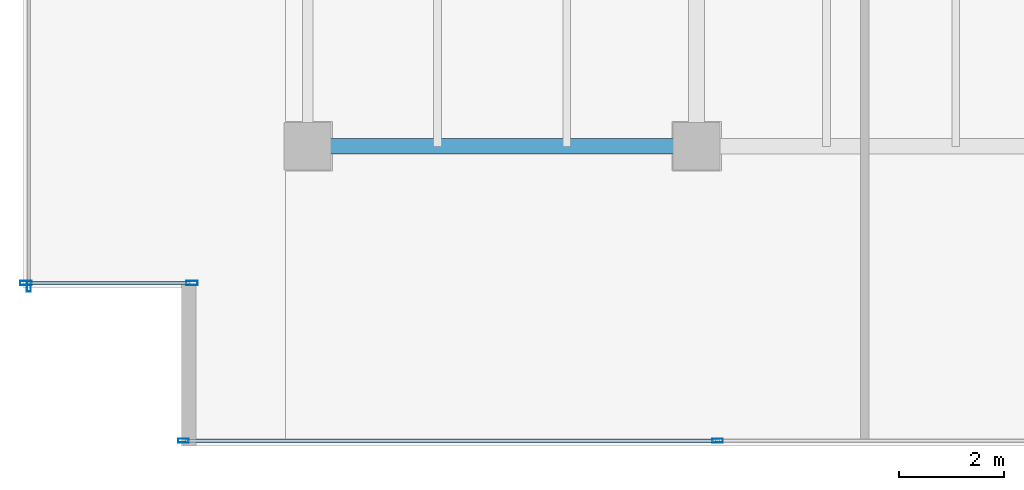
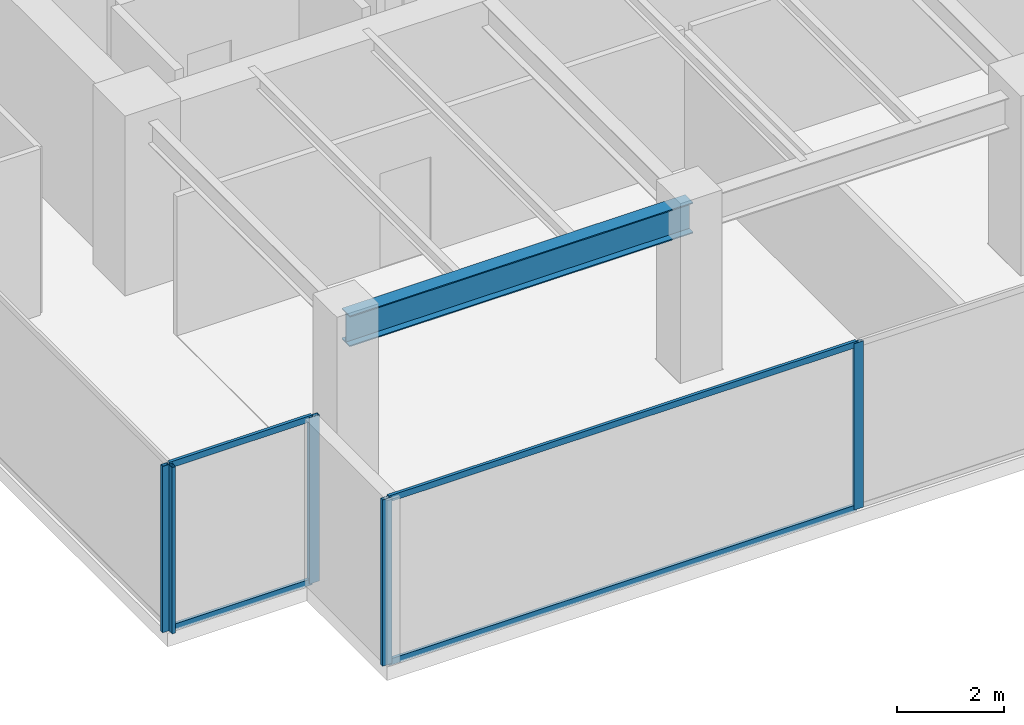
# One storey, part 2 of 33: 9 members, 1 beam, 3 elements without a shape of their own.
"""IFC4 building model written with IfcOpenShell, lengths in metres."""

from ifc_helpers import new_model, si_unit, direction, frame, origin, origin_2d, place, context, subcontext, project, spatial, hollow_rectangle, i_section, extrude, source, transform, mapped, material, layer, layer_set, material_profile, profile_set, type_object, type_shapes, element, aggregate, save


model = new_model("IFC4")

# Units and contexts
model_context = context("Model", 3, precision=1e-05, world=origin(), true_north=direction((0.0, 1.0)))
body_context = subcontext(model_context, "Body", "Model", "MODEL_VIEW")
ifc_project = project(units=[si_unit("LENGTHUNIT", "METRE"), si_unit("AREAUNIT", "SQUARE_METRE"), si_unit("VOLUMEUNIT", "CUBIC_METRE"), si_unit("PLANEANGLEUNIT", "RADIAN"), si_unit("MASSUNIT", "GRAM", prefix="KILO")], contexts=[model_context])

# Site, building, storey
site_placement = place(None, origin())
site = spatial("IfcSite", under=ifc_project, at=site_placement, CompositionType="ELEMENT")
building_placement = place(site_placement, origin())
building = spatial("IfcBuilding", under=site, at=building_placement, Name="Haelvirn Gate Laboratories", CompositionType="ELEMENT")
storey_placement = place(building_placement, frame((0.0, 0.0, 166.60009765625)))
storey = spatial("IfcBuildingStorey", under=building, at=storey_placement, Name="L40", CompositionType="ELEMENT", Elevation=166.60009765625)

# Beam
ifc_material_1 = material(Name="Steel SM355", Category="steel")
ifc_material_profile_1 = material_profile(ifc_material_1, i_section(OverallWidth=0.300048828125, OverallDepth=0.699951171875, WebThickness=0.012939453125, FlangeThickness=0.02392578125, at=origin_2d()), Name="H-700x300x13x24")
ifc_profile_set_1 = profile_set([ifc_material_profile_1], Name="Steel SM355")
beam_type = type_object("IfcBeamType", Name="BM-G-700", PredefinedType="BEAM", material=ifc_profile_set_1)
shared_shape_1 = source(origin(), body_context, "Body", "SweptSolid", [
    extrude(i_section(OverallWidth=0.300048828125, OverallDepth=0.699951171875, WebThickness=0.012939453125, FlangeThickness=0.02392578125, at=origin_2d()), origin(), (0.0, 0.0, 1.0), 7.400146484375),
])
type_shapes(beam_type, [shared_shape_1])
beam_placement = place(storey_placement, frame((7.39990234375, 7.0, 3.43994140625), z_axis=(1.0, 0.0, 0.0), x_axis=(0.0, 1.0, 0.0)))
element("IfcBeam", 1, at=beam_placement, inside=storey, type_object=beam_type, Name="L40 Primary Girder Y7.0 (7.4-14.8)", PredefinedType="BEAM", context=body_context, shape_type="MappedRepresentation", body=[
    mapped(shared_shape_1, transform((0.0, 0.0, 0.0), scale=1.0)),
])

# Curtain wall, members
ifc_material_2 = material(Name="Anodised bronze unitised aluminium & triple low-E glass", Category="aluminium")
ifc_layer_1 = layer(ifc_material_2, 0.179931640625, Name="CW-SYS-3")
ifc_layer_set_1 = layer_set([ifc_layer_1], Name="Anodised bronze unitised aluminium & triple low-E glass")
curtain_wall_type_1 = type_object("IfcCurtainWallType", Name="CW-SYS-3", PredefinedType="NOTDEFINED", material=ifc_layer_set_1)
curtain_wall_1_placement = place(storey_placement, origin())
curtain_wall_1 = element("IfcCurtainWall", 2, at=curtain_wall_1_placement, inside=storey, type_object=curtain_wall_type_1, Name="L40 Unitised Curtain Wall CW-L40-P0-E00-1", PredefinedType="NOTDEFINED")
ifc_material_3 = material(Name="Extruded aluminium 6063-T6 (anodised bronze)", Category="aluminium")
ifc_material_profile_2 = material_profile(ifc_material_3, hollow_rectangle(XDim=0.06494140625, YDim=0.139892578125, WallThickness=0.00390625, at=origin_2d()), Name="CWT-140x65x4")
ifc_profile_set_2 = profile_set([ifc_material_profile_2], Name="Extruded aluminium 6063-T6 (anodised bronze)")
member_type_1 = type_object("IfcMemberType", Name="CWT-T140", PredefinedType="USERDEFINED", material=ifc_profile_set_2)
shared_shape_2 = source(origin(), body_context, "Body", "SweptSolid", [
    extrude(hollow_rectangle(XDim=0.06494140625, YDim=0.139892578125, WallThickness=0.00390625, at=origin_2d()), origin(), (0.0, 0.0, 1.0), 10.087646484375),
])
member_1_placement = place(storey_placement, frame((5.074951171875, 1.39990234375, 0.032470703125), z_axis=(1.0, 0.0, 0.0), x_axis=(0.0, 1.0, 0.0)))
member_1 = element("IfcMember", 3, at=member_1_placement, type_object=member_type_1, Name="CW3 transom 1.1", ObjectType="TRANSOM", PredefinedType="USERDEFINED", context=body_context, shape_type="MappedRepresentation", body=[
    mapped(shared_shape_2, transform((0.0, 0.0, 0.0), scale=1.0)),
])
member_2_placement = place(storey_placement, frame((5.074951171875, 1.39990234375, 3.75732421875), z_axis=(1.0, 0.0, 0.0), x_axis=(0.0, 1.0, 0.0)))
member_2 = element("IfcMember", 4, at=member_2_placement, type_object=member_type_1, Name="CW3 transom 1.2", ObjectType="TRANSOM", PredefinedType="USERDEFINED", context=body_context, shape_type="MappedRepresentation", body=[
    mapped(shared_shape_2, transform((0.0, 0.0, 0.0), scale=1.0)),
])

ifc_layer_2 = layer(ifc_material_2, 0.181884765625, Name="CW-SYS-5")
ifc_layer_set_2 = layer_set([ifc_layer_2], Name="Anodised bronze unitised aluminium & triple low-E glass")
curtain_wall_type_2 = type_object("IfcCurtainWallType", Name="CW-SYS-5", PredefinedType="NOTDEFINED", material=ifc_layer_set_2)
curtain_wall_2_placement = place(storey_placement, origin())
curtain_wall_2 = element("IfcCurtainWall", 5, at=curtain_wall_2_placement, inside=storey, type_object=curtain_wall_type_2, Name="L40 Unitised Curtain Wall CW-L40-P0-E18-1", PredefinedType="NOTDEFINED")
shared_shape_3 = source(origin(), body_context, "Body", "SweptSolid", [
    extrude(hollow_rectangle(XDim=0.06494140625, YDim=0.139892578125, WallThickness=0.00390625, at=origin_2d()), origin(), (0.0, 0.0, 1.0), 3.079833984375),
])
type_shapes(member_type_1, [shared_shape_2, shared_shape_3])
member_3_placement = place(storey_placement, frame((2.080078125, 4.39990234375, 0.032470703125), z_axis=(1.0, 0.0, 0.0), x_axis=(0.0, 1.0, 0.0)))
member_3 = element("IfcMember", 6, at=member_3_placement, type_object=member_type_1, Name="CW5 transom 1.1", ObjectType="TRANSOM", PredefinedType="USERDEFINED", context=body_context, shape_type="MappedRepresentation", body=[
    mapped(shared_shape_3, transform((0.0, 0.0, 0.0), scale=1.0)),
])
member_4_placement = place(storey_placement, frame((2.080078125, 4.39990234375, 3.75732421875), z_axis=(1.0, 0.0, 0.0), x_axis=(0.0, 1.0, 0.0)))
member_4 = element("IfcMember", 7, at=member_4_placement, type_object=member_type_1, Name="CW5 transom 1.2", ObjectType="TRANSOM", PredefinedType="USERDEFINED", context=body_context, shape_type="MappedRepresentation", body=[
    mapped(shared_shape_3, transform((0.0, 0.0, 0.0), scale=1.0)),
])

# Member
ifc_material_profile_3 = material_profile(ifc_material_3, hollow_rectangle(XDim=0.074951171875, YDim=0.199951171875, WallThickness=0.0048828125, at=origin_2d()), Name="CWM-200x75x5")
ifc_profile_set_3 = profile_set([ifc_material_profile_3], Name="Extruded aluminium 6063-T6 (anodised bronze)")
member_type_2 = type_object("IfcMemberType", Name="CWM-T200", PredefinedType="MULLION", material=ifc_profile_set_3)
shared_shape_4 = source(origin(), body_context, "Body", "SweptSolid", [
    extrude(hollow_rectangle(XDim=0.074951171875, YDim=0.199951171875, WallThickness=0.0048828125, at=origin_2d()), origin(), (0.0, 0.0, 1.0), 3.789794921875),
])
type_shapes(member_type_2, [shared_shape_4])
member_5_placement = place(storey_placement, frame((5.03759765625, 1.39990234375, 0.0), z_axis=(0.0, 0.0, 1.0), x_axis=(0.0, 1.0, 0.0)))
member_5 = element("IfcMember", 8, at=member_5_placement, type_object=member_type_2, Name="CW3 mullion 1", PredefinedType="MULLION", context=body_context, shape_type="MappedRepresentation", body=[
    mapped(shared_shape_4, transform((0.0, 0.0, 0.0), scale=1.0)),
])

member_6_placement = place(storey_placement, frame((15.199951171875, 1.39990234375, 0.0), z_axis=(0.0, 0.0, 1.0), x_axis=(0.0, 1.0, 0.0)))
member_6 = element("IfcMember", 9, at=member_6_placement, type_object=member_type_2, Name="CW3 mullion 2", PredefinedType="MULLION", context=body_context, shape_type="MappedRepresentation", body=[
    mapped(shared_shape_4, transform((0.0, 0.0, 0.0), scale=1.0)),
])

aggregate(curtain_wall_1, [member_5, member_6, member_1, member_2])

# Curtain wall, member
curtain_wall_3_placement = place(storey_placement, origin())
curtain_wall_3 = element("IfcCurtainWall", 10, at=curtain_wall_3_placement, inside=storey, type_object=curtain_wall_type_1, Name="L40 Unitised Curtain Wall CW-L40-P0-E17", PredefinedType="NOTDEFINED")
member_7_placement = place(storey_placement, frame((2.10009765625, 4.33740234375, 0.0), z_axis=(0.0, 0.0, 1.0), x_axis=(1.0, 0.0, 0.0)))
member_7 = element("IfcMember", 11, at=member_7_placement, type_object=member_type_2, Name="CW3 mullion 4", PredefinedType="MULLION", context=body_context, shape_type="MappedRepresentation", body=[
    mapped(shared_shape_4, transform((0.0, 0.0, 0.0), scale=1.0)),
])
aggregate(curtain_wall_3, [member_7])

# Member
ifc_material_profile_4 = material_profile(ifc_material_3, hollow_rectangle(XDim=0.080078125, YDim=0.219970703125, WallThickness=0.006103515625, at=origin_2d()), Name="CWM-220x80x6")
ifc_profile_set_4 = profile_set([ifc_material_profile_4], Name="Extruded aluminium 6063-T6 (anodised bronze)")
member_type_3 = type_object("IfcMemberType", Name="CWM-T220", PredefinedType="MULLION", material=ifc_profile_set_4)
shared_shape_5 = source(origin(), body_context, "Body", "SweptSolid", [
    extrude(hollow_rectangle(XDim=0.080078125, YDim=0.219970703125, WallThickness=0.006103515625, at=origin_2d()), origin(), (0.0, 0.0, 1.0), 3.789794921875),
])
type_shapes(member_type_3, [shared_shape_5])
member_8_placement = place(storey_placement, frame((2.0400390625, 4.39990234375, 0.0), z_axis=(0.0, 0.0, 1.0), x_axis=(0.0, 1.0, 0.0)))
member_8 = element("IfcMember", 12, at=member_8_placement, type_object=member_type_3, Name="CW5 mullion 1", PredefinedType="MULLION", context=body_context, shape_type="MappedRepresentation", body=[
    mapped(shared_shape_5, transform((0.0, 0.0, 0.0), scale=1.0)),
])

member_9_placement = place(storey_placement, frame((5.199951171875, 4.39990234375, 0.0), z_axis=(0.0, 0.0, 1.0), x_axis=(0.0, 1.0, 0.0)))
member_9 = element("IfcMember", 13, at=member_9_placement, type_object=member_type_3, Name="CW5 mullion 2", PredefinedType="MULLION", context=body_context, shape_type="MappedRepresentation", body=[
    mapped(shared_shape_5, transform((0.0, 0.0, 0.0), scale=1.0)),
])

aggregate(curtain_wall_2, [member_8, member_9, member_3, member_4])

save(model, "model.ifc")
